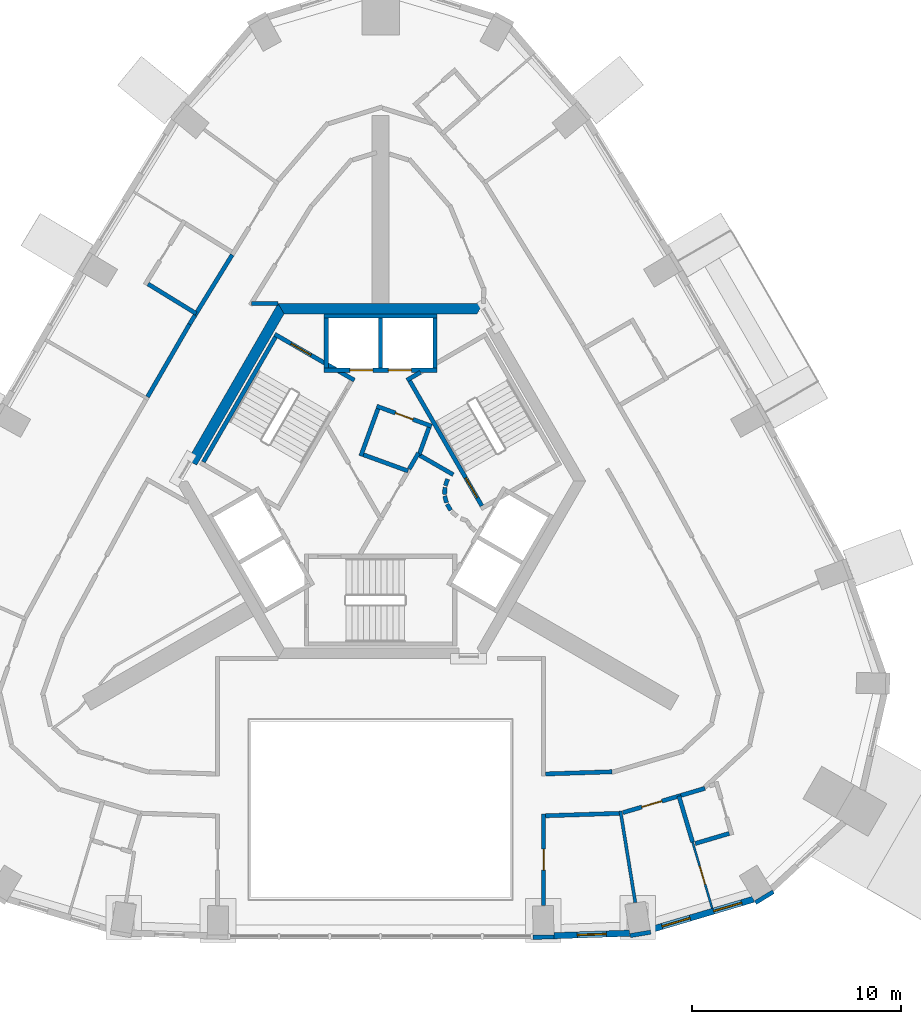
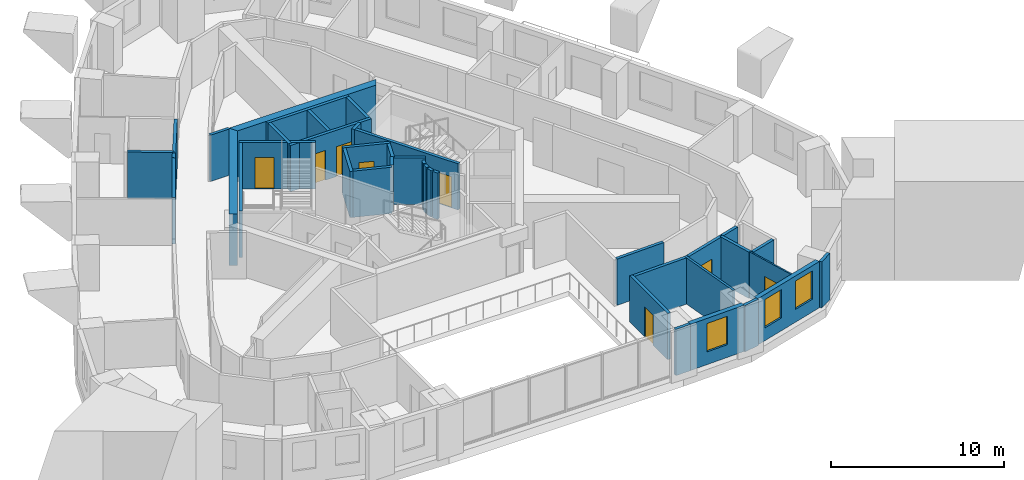
# One storey, part 5 of 11: 40 walls, 8 doors, 3 windows, 11 openings.
"""IFC4 building model written with IfcOpenShell, lengths in metres."""

from ifc_helpers import new_model, si_unit, direction, frame, frame_2d, origin, place, context, subcontext, project, spatial, polyline, rectangle, outline, extrude, material, layer, layer_set, type_object, element, fill, save


model = new_model("IFC4")

# Units and contexts
model_context = context("Model", 3, precision=1e-05, world=origin(), true_north=direction((0.0, 1.0)))
body_context = subcontext(model_context, "Body", "Model", "MODEL_VIEW")
ifc_project = project(units=[si_unit("LENGTHUNIT", "METRE"), si_unit("AREAUNIT", "SQUARE_METRE"), si_unit("VOLUMEUNIT", "CUBIC_METRE"), si_unit("PLANEANGLEUNIT", "RADIAN"), si_unit("MASSUNIT", "GRAM", prefix="KILO")], contexts=[model_context])

# Site, building, storey
site_placement = place(None, origin())
site = spatial("IfcSite", under=ifc_project, at=site_placement, CompositionType="ELEMENT")
building_placement = place(site_placement, origin())
building = spatial("IfcBuilding", under=site, at=building_placement, Name="Entoto Arch Interchange Tower", CompositionType="ELEMENT")
storey_placement = place(building_placement, frame((0.0, 0.0, 318.800048828125)))
storey = spatial("IfcBuildingStorey", under=building, at=storey_placement, Name="L75", CompositionType="ELEMENT", Elevation=318.800048828125)

# Walls
ifc_material_1 = material(Name="Concrete C40/50", Category="concrete")
ifc_layer_1 = layer(ifc_material_1, 0.5)
ifc_layer_set_1 = layer_set([ifc_layer_1], Name="Concrete C40/50")
wall_type_1 = type_object("IfcWallType", Name="Core wall 500 C40/50", PredefinedType="SHEAR", material=ifc_layer_set_1)
wall_1_placement = place(storey_placement, frame((0.0, 0.0, -0.340087890625)))
element("IfcWall", 1, at=wall_1_placement, inside=storey, type_object=wall_type_1, Name="Core wall N L75", PredefinedType="SHEAR", context=body_context, shape_type="SweptSolid", body=[
    extrude(outline(polyline([(4.906982421875, 11.0), (-4.906982421875, 11.0), (-4.618896484375, 10.5), (4.618896484375, 10.5), (4.906982421875, 11.0)])), origin(), (0.0, 0.0, 1.0), 3.60009765625),
])
wall_2_placement = place(storey_placement, frame((0.0, 0.0, -0.340087890625)))
element("IfcWall", 2, at=wall_2_placement, inside=storey, type_object=wall_type_1, Name="Core wall NW L75", PredefinedType="SHEAR", context=body_context, shape_type="SweptSolid", body=[
    extrude(outline(polyline([(-9.236083984375, 3.501953125), (-8.802978515625, 3.2529296875), (-4.618896484375, 10.5), (-4.906982421875, 11.0), (-9.236083984375, 3.501953125)])), origin(), (0.0, 0.0, 1.0), 3.60009765625),
])

# Wall, openings, doors
ifc_layer_2 = layer(ifc_material_1, 0.199951171875)
ifc_layer_set_2 = layer_set([ifc_layer_2], Name="Concrete C40/50")
wall_type_2 = type_object("IfcWallType", Name="LIFT SHAFT WALL 200", PredefinedType="STANDARD", material=ifc_layer_set_2)
wall_3_placement = place(storey_placement, frame((2.699951171875, 7.800048828125, 0.0), z_axis=(0.0, 0.0, 1.0), x_axis=(-1.0, 0.0, 0.0)))
wall_3 = element("IfcWall", 3, at=wall_3_placement, inside=storey, type_object=wall_type_2, Name="Shaft wall N1 front", PredefinedType="STANDARD", context=body_context, shape_type="SweptSolid", body=[
    extrude(rectangle(XDim=5.39990234375, YDim=0.199951171875, at=frame_2d((2.699951171875, 0.0))), origin(), (0.0, 0.0, 1.0), 3.260009765625),
])
opening_1_placement = place(wall_3_placement, frame((1.22509765625, 0.0, 0.0)))
opening_1 = element("IfcOpeningElement", 4, at=opening_1_placement, cuts=wall_3, Name="Opening LD-HR1-L75", PredefinedType="OPENING", context=body_context, shape_type="SweptSolid", body=[
    extrude(rectangle(XDim=1.10009765625, YDim=2.10009765625, at=frame_2d((0.550048828125, 1.050048828125))), frame((0.0, 0.10986328125, 0.0), z_axis=(0.0, -1.0, 0.0), x_axis=(1.0, 0.0, 0.0)), (0.0, 0.0, 1.0), 0.219970703125),
])
opening_2_placement = place(wall_3_placement, frame((3.074951171875, 0.0, 0.0)))
opening_2 = element("IfcOpeningElement", 5, at=opening_2_placement, cuts=wall_3, Name="Opening LD-HR2-L75", PredefinedType="OPENING", context=body_context, shape_type="SweptSolid", body=[
    extrude(rectangle(XDim=1.10009765625, YDim=2.10009765625, at=frame_2d((0.550048828125, 1.050048828125))), frame((0.0, 0.10986328125, 0.0), z_axis=(0.0, -1.0, 0.0), x_axis=(1.0, 0.0, 0.0)), (0.0, 0.0, 1.0), 0.219970703125),
])
ifc_material_2 = material(Name="Stainless steel 1.4301 panels", Category="steel")
door_type_1 = type_object("IfcDoorType", Name="LIFT LANDING DOOR LD1 1100x2100", OperationType="SLIDING_TO_LEFT", PredefinedType="DOOR", material=ifc_material_2)
door_1_placement = place(opening_1_placement, origin())
door_1 = element("IfcDoor", 6, at=door_1_placement, inside=storey, type_object=door_type_1, Name="Lift landing door HR1 L75", OperationType="SLIDING_TO_LEFT", OverallHeight=2.10009765625, OverallWidth=1.10009765625, PredefinedType="DOOR", context=body_context, shape_type="SweptSolid", body=[
    extrude(rectangle(XDim=1.10009765625, YDim=2.10009765625, at=frame_2d((0.550048828125, 1.050048828125))), frame((0.0, 0.02490234375, 0.0), z_axis=(0.0, -1.0, 0.0), x_axis=(1.0, 0.0, 0.0)), (0.0, 0.0, 1.0), 0.050048828125),
])
fill(opening_1, door_1)
door_2_placement = place(opening_2_placement, origin())
door_2 = element("IfcDoor", 7, at=door_2_placement, inside=storey, type_object=door_type_1, Name="Lift landing door HR2 L75", OperationType="SLIDING_TO_LEFT", OverallHeight=2.10009765625, OverallWidth=1.10009765625, PredefinedType="DOOR", context=body_context, shape_type="SweptSolid", body=[
    extrude(rectangle(XDim=1.10009765625, YDim=2.10009765625, at=frame_2d((0.550048828125, 1.050048828125))), frame((0.0, 0.02490234375, 0.0), z_axis=(0.0, -1.0, 0.0), x_axis=(1.0, 0.0, 0.0)), (0.0, 0.0, 1.0), 0.050048828125),
])
fill(opening_2, door_2)

# Walls
wall_4_placement = place(storey_placement, frame((2.699951171875, 10.39990234375, 0.0), z_axis=(0.0, 0.0, 1.0), x_axis=(-1.0, 0.0, 0.0)))
element("IfcWall", 8, at=wall_4_placement, inside=storey, type_object=wall_type_2, Name="Shaft wall N1 back", PredefinedType="STANDARD", context=body_context, shape_type="SweptSolid", body=[
    extrude(rectangle(XDim=5.39990234375, YDim=0.199951171875, at=frame_2d((2.699951171875, 0.0))), origin(), (0.0, 0.0, 1.0), 3.260009765625),
])
for number, where, z_axis, x_axis, name in (
    (9, (2.60009765625, 7.89990234375, 0.0), (0.0, 0.0, 1.0), (0.0, 1.0, 0.0), "Shaft wall N1 cross 1"),
    (10, (0.0, 7.89990234375, 0.0), (0.0, 0.0, 1.0), (0.0, 1.0, 0.0), "Shaft wall N1 cross 2"),
    (11, (-2.60009765625, 7.89990234375, 0.0), (0.0, 0.0, 1.0), (0.0, 1.0, 0.0), "Shaft wall N1 cross 3"),
):
    element("IfcWall", number, at=place(storey_placement, frame(where, z_axis=z_axis, x_axis=x_axis)), inside=storey, type_object=wall_type_2, Name=name, PredefinedType="STANDARD", context=body_context, shape_type="SweptSolid", body=[
        extrude(rectangle(XDim=2.400146484375, YDim=0.199951171875, at=frame_2d((1.2001953125, 0.0))), origin(), (0.0, 0.0, 1.0), 3.260009765625),
    ])

# Wall, opening, door
ifc_material_3 = material(Name="Gypsum board partition on steel studs", Category="steel")
ifc_layer_3 = layer(ifc_material_3, 0.10009765625)
ifc_layer_set_3 = layer_set([ifc_layer_3], Name="Gypsum board partition on steel studs")
wall_type_3 = type_object("IfcWallType", Name="PARTITION 100", PredefinedType="PARTITIONING", material=ifc_layer_set_3)
wall_5_placement = place(storey_placement, frame((14.928955078125, -14.781005859375, 0.0), z_axis=(0.0, 0.0, 1.0), x_axis=(0.284224342284, -0.958757802186, 0.0)))
wall_5 = element("IfcWall", 12, at=wall_5_placement, inside=storey, type_object=wall_type_3, Name="wall:L75:p081", PredefinedType="PARTITIONING", context=body_context, shape_type="SweptSolid", body=[
    extrude(rectangle(XDim=3.300048828125, YDim=0.10009765625, at=frame_2d((1.64990234375, 0.0))), origin(), (0.0, 0.0, 1.0), 3.260009765625),
])
opening_3_placement = place(wall_5_placement, frame((1.199951171875, 0.0, 0.0)))
opening_3 = element("IfcOpeningElement", 13, at=opening_3_placement, cuts=wall_5, Name="Opening L75-D02", PredefinedType="OPENING", context=body_context, shape_type="SweptSolid", body=[
    extrude(rectangle(XDim=0.89990234375, YDim=2.10009765625, at=frame_2d((0.449951171875, 1.050048828125))), frame((0.0, 0.06005859375, 0.0), z_axis=(0.0, -1.0, 0.0), x_axis=(1.0, 0.0, 0.0)), (0.0, 0.0, 1.0), 0.1201171875),
])
ifc_material_4 = material(Name="Timber door leaf in Steel S235 frame", Category="steel")
door_type_2 = type_object("IfcDoorType", Name="DOOR DS-09 900x2100", OperationType="SINGLE_SWING_LEFT", PredefinedType="DOOR", material=ifc_material_4)
door_3_placement = place(opening_3_placement, origin())
door_3 = element("IfcDoor", 14, at=door_3_placement, inside=storey, type_object=door_type_2, Name="door:L75:02", OperationType="SINGLE_SWING_LEFT", OverallHeight=2.10009765625, OverallWidth=0.89990234375, PredefinedType="DOOR", context=body_context, shape_type="SweptSolid", body=[
    extrude(rectangle(XDim=0.89990234375, YDim=2.10009765625, at=frame_2d((0.449951171875, 1.050048828125))), frame((0.0, 0.02490234375, 0.0), z_axis=(0.0, -1.0, 0.0), x_axis=(1.0, 0.0, 0.0)), (0.0, 0.0, 1.0), 0.050048828125),
])
fill(opening_3, door_3)

# Walls
ifc_layer_4 = layer(ifc_material_3, 0.14990234375)
ifc_layer_set_4 = layer_set([ifc_layer_4], Name="Gypsum board partition on steel studs")
wall_type_4 = type_object("IfcWallType", Name="PARTITION 150", PredefinedType="PARTITIONING", material=ifc_layer_set_4)
wall_6_placement = place(storey_placement, frame((11.47900390625, -13.302001953125, 0.0), z_axis=(0.0, 0.0, 1.0), x_axis=(0.16010600403, -0.987099826499, 0.0)))
element("IfcWall", 15, at=wall_6_placement, inside=storey, type_object=wall_type_4, Name="wall:L75:p080", PredefinedType="PARTITIONING", context=body_context, shape_type="SweptSolid", body=[
    extrude(rectangle(XDim=4.42822265625, YDim=0.14990234375, at=frame_2d((2.214111328125, 0.0))), origin(), (0.0, 0.0, 1.0), 3.260009765625),
])
ifc_layer_5 = layer(ifc_material_3, 0.199951171875)
ifc_layer_set_5 = layer_set([ifc_layer_5], Name="Gypsum board partition on steel studs")
wall_type_5 = type_object("IfcWallType", Name="PARTITION 200", PredefinedType="PARTITIONING", material=ifc_layer_set_5)
wall_7_placement = place(storey_placement, frame((1.365966796875, 3.06591796875, 0.0), z_axis=(0.0, 0.0, 1.0), x_axis=(0.499698775601, 0.866199245938, 0.0)))
element("IfcWall", 16, at=wall_7_placement, inside=storey, type_object=wall_type_5, Name="wall:L75:p001", PredefinedType="PARTITIONING", context=body_context, shape_type="SweptSolid", body=[
    extrude(rectangle(XDim=0.892578125, YDim=0.199951171875, at=frame_2d((0.4462890625, 0.0))), origin(), (0.0, 0.0, 1.0), 3.260009765625),
])
wall_8_placement = place(storey_placement, frame((1.837890625, 3.748046875, 0.0), z_axis=(0.0, 0.0, 1.0), x_axis=(0.341883255813, 0.939742432475, 0.0)))
element("IfcWall", 17, at=wall_8_placement, inside=storey, type_object=wall_type_5, Name="wall:L75:p002", PredefinedType="PARTITIONING", context=body_context, shape_type="SweptSolid", body=[
    extrude(rectangle(XDim=1.398193359375, YDim=0.199951171875, at=frame_2d((0.69921875, 0.0))), origin(), (0.0, 0.0, 1.0), 3.260009765625),
])

# Wall, opening, door
wall_9_placement = place(storey_placement, frame((2.444091796875, 5.1220703125, 0.0), z_axis=(0.0, 0.0, 1.0), x_axis=(-0.939650782256, 0.342135071873, 0.0)))
wall_9 = element("IfcWall", 18, at=wall_9_placement, inside=storey, type_object=wall_type_5, Name="wall:L75:p003", PredefinedType="PARTITIONING", context=body_context, shape_type="SweptSolid", body=[
    extrude(rectangle(XDim=2.800048828125, YDim=0.199951171875, at=frame_2d((1.39990234375, 0.0))), origin(), (0.0, 0.0, 1.0), 3.260009765625),
])
opening_4_placement = place(wall_9_placement, frame((0.949951171875, 0.0, 0.0)))
opening_4 = element("IfcOpeningElement", 19, at=opening_4_placement, cuts=wall_9, Name="Opening L75-D26", PredefinedType="OPENING", context=body_context, shape_type="SweptSolid", body=[
    extrude(rectangle(XDim=0.89990234375, YDim=2.10009765625, at=frame_2d((0.449951171875, 1.050048828125))), frame((0.0, 0.10986328125, 0.0), z_axis=(0.0, -1.0, 0.0), x_axis=(1.0, 0.0, 0.0)), (0.0, 0.0, 1.0), 0.219970703125),
])
door_4_placement = place(opening_4_placement, origin())
door_4 = element("IfcDoor", 20, at=door_4_placement, inside=storey, type_object=door_type_2, Name="door:L75:26", OperationType="SINGLE_SWING_LEFT", OverallHeight=2.10009765625, OverallWidth=0.89990234375, PredefinedType="DOOR", context=body_context, shape_type="SweptSolid", body=[
    extrude(rectangle(XDim=0.89990234375, YDim=2.10009765625, at=frame_2d((0.449951171875, 1.050048828125))), frame((0.0, 0.02490234375, 0.0), z_axis=(0.0, -1.0, 0.0), x_axis=(1.0, 0.0, 0.0)), (0.0, 0.0, 1.0), 0.050048828125),
])
fill(opening_4, door_4)

# Walls
wall_10_placement = place(storey_placement, frame((-0.126953125, 5.951904296875, 0.0), z_axis=(0.0, 0.0, 1.0), x_axis=(-0.342012513308, -0.93969539785, 0.0)))
element("IfcWall", 21, at=wall_10_placement, inside=storey, type_object=wall_type_5, Name="wall:L75:p004", PredefinedType="PARTITIONING", context=body_context, shape_type="SweptSolid", body=[
    extrude(rectangle(XDim=2.400634765625, YDim=0.199951171875, at=frame_2d((1.2001953125, 0.0))), origin(), (0.0, 0.0, 1.0), 3.260009765625),
])
wall_11_placement = place(storey_placement, frame((-0.820068359375, 3.756103515625, 0.0), z_axis=(0.0, 0.0, 1.0), x_axis=(0.939740098492, -0.34188967122, 0.0)))
element("IfcWall", 22, at=wall_11_placement, inside=storey, type_object=wall_type_5, Name="wall:L75:p005", PredefinedType="PARTITIONING", context=body_context, shape_type="SweptSolid", body=[
    extrude(rectangle(XDim=2.27294921875, YDim=0.199951171875, at=frame_2d((1.136474609375, 0.0))), origin(), (0.0, 0.0, 1.0), 3.260009765625),
])
wall_12_placement = place(storey_placement, frame((-6.18310546875, 10.9990234375, 0.0), z_axis=(0.0, 0.0, 1.0), x_axis=(1.0, 0.0, 0.0)))
element("IfcWall", 23, at=wall_12_placement, inside=storey, type_object=wall_type_5, Name="wall:L75:p013", PredefinedType="PARTITIONING", context=body_context, shape_type="SweptSolid", body=[
    extrude(rectangle(XDim=1.275146484375, YDim=0.199951171875, at=frame_2d((0.6376953125, 0.0))), origin(), (0.0, 0.0, 1.0), 3.260009765625),
])
wall_13_placement = place(storey_placement, frame((7.89990234375, -11.52001953125, 0.0), z_axis=(0.0, 0.0, 1.0), x_axis=(0.999442599499, 0.033383982774, 0.0)))
element("IfcWall", 24, at=wall_13_placement, inside=storey, type_object=wall_type_5, Name="wall:L75:p014", PredefinedType="PARTITIONING", context=body_context, shape_type="SweptSolid", body=[
    extrude(rectangle(XDim=3.173828125, YDim=0.199951171875, at=frame_2d((1.5869140625, 0.0))), origin(), (0.0, 0.0, 1.0), 3.260009765625),
])
wall_14_placement = place(storey_placement, frame((11.52001953125, -13.39990234375, 0.0), z_axis=(0.0, 0.0, 1.0), x_axis=(-0.999441010134, -0.033431530957, 0.0)))
element("IfcWall", 25, at=wall_14_placement, inside=storey, type_object=wall_type_5, Name="wall:L75:p029", PredefinedType="PARTITIONING", context=body_context, shape_type="SweptSolid", body=[
    extrude(rectangle(XDim=3.6220703125, YDim=0.199951171875, at=frame_2d((1.81103515625, 0.0))), origin(), (0.0, 0.0, 1.0), 3.260009765625),
])

# Wall, opening, door
wall_15_placement = place(storey_placement, frame((14.37109375, -12.548095703125, 0.0), z_axis=(0.0, 0.0, 1.0), x_axis=(-0.958773475867, -0.284171465799, 0.0)))
wall_15 = element("IfcWall", 26, at=wall_15_placement, inside=storey, type_object=wall_type_5, Name="wall:L75:p030", PredefinedType="PARTITIONING", context=body_context, shape_type="SweptSolid", body=[
    extrude(rectangle(XDim=2.899658203125, YDim=0.199951171875, at=frame_2d((1.44970703125, 0.0))), origin(), (0.0, 0.0, 1.0), 3.260009765625),
])
opening_5_placement = place(wall_15_placement, frame((0.949951171875, 0.0, 0.0)))
opening_5 = element("IfcOpeningElement", 27, at=opening_5_placement, cuts=wall_15, Name="Opening L75-D01", PredefinedType="OPENING", context=body_context, shape_type="SweptSolid", body=[
    extrude(rectangle(XDim=1.0, YDim=2.10009765625, at=frame_2d((0.5, 1.050048828125))), frame((0.0, 0.10986328125, 0.0), z_axis=(0.0, -1.0, 0.0), x_axis=(1.0, 0.0, 0.0)), (0.0, 0.0, 1.0), 0.219970703125),
])
ifc_material_5 = material(Name="Fire-rated Steel S235 door and frame", Category="steel")
door_type_3 = type_object("IfcDoorType", Name="DOOR FD-10 1000x2100", OperationType="SINGLE_SWING_LEFT", PredefinedType="DOOR", material=ifc_material_5)
door_5_placement = place(opening_5_placement, origin())
door_5 = element("IfcDoor", 28, at=door_5_placement, inside=storey, type_object=door_type_3, Name="door:L75:01", OperationType="SINGLE_SWING_LEFT", OverallHeight=2.10009765625, OverallWidth=1.0, PredefinedType="DOOR", context=body_context, shape_type="SweptSolid", body=[
    extrude(rectangle(XDim=1.0, YDim=2.10009765625, at=frame_2d((0.5, 1.050048828125))), frame((0.0, 0.02490234375, 0.0), z_axis=(0.0, -1.0, 0.0), x_axis=(1.0, 0.0, 0.0)), (0.0, 0.0, 1.0), 0.050048828125),
])
fill(opening_5, door_5)

# Walls
wall_16_placement = place(storey_placement, frame((15.52099609375, -12.20703125, 0.0), z_axis=(0.0, 0.0, 1.0), x_axis=(-0.958717989575, -0.2843586054, 0.0)))
element("IfcWall", 29, at=wall_16_placement, inside=storey, type_object=wall_type_5, Name="wall:L75:p034", PredefinedType="PARTITIONING", context=body_context, shape_type="SweptSolid", body=[
    extrude(rectangle(XDim=1.199462890625, YDim=0.199951171875, at=frame_2d((0.599609375, 0.0))), origin(), (0.0, 0.0, 1.0), 3.260009765625),
])
wall_17_placement = place(storey_placement, frame((-11.153076171875, 6.52490234375, 0.0), z_axis=(0.0, 0.0, 1.0), x_axis=(0.500108414701, 0.865962801479, 0.0)))
element("IfcWall", 30, at=wall_17_placement, inside=storey, type_object=wall_type_5, Name="wall:L75:p046", PredefinedType="PARTITIONING", context=body_context, shape_type="SweptSolid", body=[
    extrude(rectangle(XDim=4.01513671875, YDim=0.199951171875, at=frame_2d((2.007568359375, 0.0))), origin(), (0.0, 0.0, 1.0), 3.260009765625),
])
wall_18_placement = place(storey_placement, frame((-9.14501953125, 10.001953125, 0.0), z_axis=(0.0, 0.0, 1.0), x_axis=(0.523797791684, 0.851842634192, 0.0)))
element("IfcWall", 31, at=wall_18_placement, inside=storey, type_object=wall_type_5, Name="wall:L75:p047", PredefinedType="PARTITIONING", context=body_context, shape_type="SweptSolid", body=[
    extrude(rectangle(XDim=0.500244140625, YDim=0.199951171875, at=frame_2d((0.25, 0.0))), origin(), (0.0, 0.0, 1.0), 3.260009765625),
])
wall_19_placement = place(storey_placement, frame((-8.883056640625, 10.427978515625, 0.0), z_axis=(0.0, 0.0, 1.0), x_axis=(0.524061371587, 0.851680502777, 0.0)))
element("IfcWall", 32, at=wall_19_placement, inside=storey, type_object=wall_type_5, Name="wall:L75:p048", PredefinedType="PARTITIONING", context=body_context, shape_type="SweptSolid", body=[
    extrude(rectangle(XDim=3.400390625, YDim=0.199951171875, at=frame_2d((1.7001953125, 0.0))), origin(), (0.0, 0.0, 1.0), 3.260009765625),
])
wall_20_placement = place(storey_placement, frame((1.7509765625, 3.798095703125, 0.0), z_axis=(0.0, 0.0, 1.0), x_axis=(0.866091650241, -0.499885240213, 0.0)))
element("IfcWall", 33, at=wall_20_placement, inside=storey, type_object=wall_type_5, Name="wall:L75:p059", PredefinedType="PARTITIONING", context=body_context, shape_type="SweptSolid", body=[
    extrude(rectangle(XDim=1.99072265625, YDim=0.199951171875, at=frame_2d((0.995361328125, 0.0))), origin(), (0.0, 0.0, 1.0), 3.260009765625),
])
wall_21_placement = place(storey_placement, frame((3.2080078125, 2.592041015625, 0.0), z_axis=(0.0, 0.0, 1.0), x_axis=(-0.337388820924, -0.941365382578, 0.0)))
element("IfcWall", 34, at=wall_21_placement, inside=storey, type_object=wall_type_5, Name="wall:L75:p060", PredefinedType="PARTITIONING", context=body_context, shape_type="SweptSolid", body=[
    extrude(rectangle(XDim=0.337890625, YDim=0.199951171875, at=frame_2d((0.1689453125, 0.0))), origin(), (0.0, 0.0, 1.0), 3.260009765625),
])
wall_22_placement = place(storey_placement, frame((3.0791015625, 2.198974609375, 0.0), z_axis=(0.0, 0.0, 1.0), x_axis=(-0.047771483479, -0.998858290933, 0.0)))
element("IfcWall", 35, at=wall_22_placement, inside=storey, type_object=wall_type_5, Name="wall:L75:p061", PredefinedType="PARTITIONING", context=body_context, shape_type="SweptSolid", body=[
    extrude(rectangle(XDim=0.33740234375, YDim=0.199951171875, at=frame_2d((0.168701171875, 0.0))), origin(), (0.0, 0.0, 1.0), 3.260009765625),
])
wall_23_placement = place(storey_placement, frame((3.070068359375, 1.785888671875, 0.0), z_axis=(0.0, 0.0, 1.0), x_axis=(0.242705583207, -0.970099994784, 0.0)))
element("IfcWall", 36, at=wall_23_placement, inside=storey, type_object=wall_type_5, Name="wall:L75:p062", PredefinedType="PARTITIONING", context=body_context, shape_type="SweptSolid", body=[
    extrude(rectangle(XDim=0.337890625, YDim=0.199951171875, at=frame_2d((0.1689453125, 0.0))), origin(), (0.0, 0.0, 1.0), 3.260009765625),
])
wall_24_placement = place(storey_placement, frame((3.181884765625, 1.387939453125, 0.0), z_axis=(0.0, 0.0, 1.0), x_axis=(0.512474702713, -0.85870232274, 0.0)))
element("IfcWall", 37, at=wall_24_placement, inside=storey, type_object=wall_type_5, Name="wall:L75:p063", PredefinedType="PARTITIONING", context=body_context, shape_type="SweptSolid", body=[
    extrude(rectangle(XDim=0.337646484375, YDim=0.199951171875, at=frame_2d((0.1689453125, 0.0))), origin(), (0.0, 0.0, 1.0), 3.260009765625),
])

# Wall, opening, door
wall_25_placement = place(storey_placement, frame((7.800048828125, -13.425048828125, 0.0), z_axis=(0.0, 0.0, 1.0), x_axis=(0.0, -1.0, 0.0)))
wall_25 = element("IfcWall", 38, at=wall_25_placement, inside=storey, type_object=wall_type_5, Name="wall:L75:p073", PredefinedType="PARTITIONING", context=body_context, shape_type="SweptSolid", body=[
    extrude(rectangle(XDim=4.383056640625, YDim=0.199951171875, at=frame_2d((2.19140625, 0.0))), origin(), (0.0, 0.0, 1.0), 3.260009765625),
])
opening_6_placement = place(wall_25_placement, frame((1.69091796875, 0.0, 0.0)))
opening_6 = element("IfcOpeningElement", 39, at=opening_6_placement, cuts=wall_25, Name="Opening L75-D16", PredefinedType="OPENING", context=body_context, shape_type="SweptSolid", body=[
    extrude(rectangle(XDim=1.0, YDim=2.10009765625, at=frame_2d((0.5, 1.050048828125))), frame((0.0, 0.10986328125, 0.0), z_axis=(0.0, -1.0, 0.0), x_axis=(1.0, 0.0, 0.0)), (0.0, 0.0, 1.0), 0.219970703125),
])
door_type_4 = type_object("IfcDoorType", Name="DOOR DS-10 1000x2100", OperationType="SINGLE_SWING_LEFT", PredefinedType="DOOR", material=ifc_material_4)
door_6_placement = place(opening_6_placement, origin())
door_6 = element("IfcDoor", 40, at=door_6_placement, inside=storey, type_object=door_type_4, Name="door:L75:16", OperationType="SINGLE_SWING_LEFT", OverallHeight=2.10009765625, OverallWidth=1.0, PredefinedType="DOOR", context=body_context, shape_type="SweptSolid", body=[
    extrude(rectangle(XDim=1.0, YDim=2.10009765625, at=frame_2d((0.5, 1.050048828125))), frame((0.0, 0.02490234375, 0.0), z_axis=(0.0, -1.0, 0.0), x_axis=(1.0, 0.0, 0.0)), (0.0, 0.0, 1.0), 0.050048828125),
])
fill(opening_6, door_6)

# Walls
wall_26_placement = place(storey_placement, frame((14.27490234375, -12.575927734375, 0.0), z_axis=(0.0, 0.0, 1.0), x_axis=(0.284366601045, -0.958715618007, 0.0)))
element("IfcWall", 41, at=wall_26_placement, inside=storey, type_object=wall_type_5, Name="wall:L75:p082", PredefinedType="PARTITIONING", context=body_context, shape_type="SweptSolid", body=[
    extrude(rectangle(XDim=2.300048828125, YDim=0.199951171875, at=frame_2d((1.14990234375, 0.0))), origin(), (0.0, 0.0, 1.0), 3.260009765625),
])
wall_27_placement = place(storey_placement, frame((15.053955078125, -14.84912109375, 0.0), z_axis=(0.0, 0.0, 1.0), x_axis=(0.958727061754, 0.284328016666, 0.0)))
element("IfcWall", 42, at=wall_27_placement, inside=storey, type_object=wall_type_5, Name="wall:L75:p083", PredefinedType="PARTITIONING", context=body_context, shape_type="SweptSolid", body=[
    extrude(rectangle(XDim=1.69921875, YDim=0.199951171875, at=frame_2d((0.849609375, 0.0))), origin(), (0.0, 0.0, 1.0), 3.260009765625),
])
wall_28_placement = place(storey_placement, frame((-11.1298828125, 11.927978515625, 0.0), z_axis=(0.0, 0.0, 1.0), x_axis=(0.851856970107, -0.523774476737, 0.0)))
element("IfcWall", 43, at=wall_28_placement, inside=storey, type_object=wall_type_5, Name="wall:L75:p101", PredefinedType="PARTITIONING", context=body_context, shape_type="SweptSolid", body=[
    extrude(rectangle(XDim=2.69970703125, YDim=0.199951171875, at=frame_2d((1.349853515625, 0.0))), origin(), (0.0, 0.0, 1.0), 3.260009765625),
])
ifc_layer_6 = layer(ifc_material_1, 0.199951171875)
ifc_layer_set_6 = layer_set([ifc_layer_6], Name="Concrete C40/50")
wall_type_6 = type_object("IfcWallType", Name="STAIR ENCLOSURE WALL 200", PredefinedType="STANDARD", material=ifc_layer_set_6)
wall_29_placement = place(storey_placement, frame((1.256103515625, 7.323974609375, 0.0), z_axis=(0.0, 0.0, 1.0), x_axis=(0.865915093549, 0.500191014278, 0.0)))
element("IfcWall", 44, at=wall_29_placement, inside=storey, type_object=wall_type_6, Name="Stair wall ST-NE far return", PredefinedType="STANDARD", context=body_context, shape_type="SweptSolid", body=[
    extrude(rectangle(XDim=0.751708984375, YDim=0.199951171875, at=frame_2d((0.3759765625, 0.0))), origin(), (0.0, 0.0, 1.0), 3.260009765625),
])

# Wall, opening, door
wall_30_placement = place(storey_placement, frame((4.843017578125, 1.31201171875, 0.0), z_axis=(0.0, 0.0, 1.0), x_axis=(-0.499963383562, 0.866046543262, 0.0)))
wall_30 = element("IfcWall", 45, at=wall_30_placement, inside=storey, type_object=wall_type_6, Name="Stair wall ST-NE hall", PredefinedType="STANDARD", context=body_context, shape_type="SweptSolid", body=[
    extrude(rectangle(XDim=6.900390625, YDim=0.199951171875, at=frame_2d((3.4501953125, 0.0))), origin(), (0.0, 0.0, 1.0), 3.260009765625),
])
opening_7_placement = place(wall_30_placement, frame((0.449951171875, 0.0, 0.0)))
opening_7 = element("IfcOpeningElement", 46, at=opening_7_placement, cuts=wall_30, Name="Opening SD-ST-NE-L75", PredefinedType="OPENING", context=body_context, shape_type="SweptSolid", body=[
    extrude(rectangle(XDim=1.10009765625, YDim=2.199951171875, at=frame_2d((0.550048828125, 1.10009765625))), frame((0.0, 0.10986328125, 0.0), z_axis=(0.0, -1.0, 0.0), x_axis=(1.0, 0.0, 0.0)), (0.0, 0.0, 1.0), 0.219970703125),
])
ifc_material_6 = material(Name="Steel S235", Category="steel")
door_type_5 = type_object("IfcDoorType", Name="STAIR DOOR SD1 1100x2200", OperationType="SINGLE_SWING_LEFT", PredefinedType="DOOR", material=ifc_material_6)
door_7_placement = place(opening_7_placement, origin())
door_7 = element("IfcDoor", 47, at=door_7_placement, inside=storey, type_object=door_type_5, Name="Stair door ST-NE L75", OperationType="SINGLE_SWING_LEFT", OverallHeight=2.199951171875, OverallWidth=1.10009765625, PredefinedType="DOOR", context=body_context, shape_type="SweptSolid", body=[
    extrude(rectangle(XDim=1.10009765625, YDim=2.199951171875, at=frame_2d((0.550048828125, 1.10009765625))), frame((0.0, 0.02490234375, 0.0), z_axis=(0.0, -1.0, 0.0), x_axis=(1.0, 0.0, 0.0)), (0.0, 0.0, 1.0), 0.050048828125),
])
fill(opening_7, door_7)

wall_31_placement = place(storey_placement, frame((-1.256103515625, 7.323974609375, 0.0), z_axis=(0.0, 0.0, 1.0), x_axis=(-0.866046073146, 0.499964197906, 0.0)))
wall_31 = element("IfcWall", 48, at=wall_31_placement, inside=storey, type_object=wall_type_6, Name="Stair wall ST-NW near", PredefinedType="STANDARD", context=body_context, shape_type="SweptSolid", body=[
    extrude(rectangle(XDim=4.400146484375, YDim=0.199951171875, at=frame_2d((2.2001953125, 0.0))), origin(), (0.0, 0.0, 1.0), 3.260009765625),
])
opening_8_placement = place(wall_31_placement, frame((2.39990234375, 0.0, 0.0)))
opening_8 = element("IfcOpeningElement", 49, at=opening_8_placement, cuts=wall_31, Name="Opening SD-ST-NW-L75-E", PredefinedType="OPENING", context=body_context, shape_type="SweptSolid", body=[
    extrude(rectangle(XDim=1.10009765625, YDim=2.199951171875, at=frame_2d((0.550048828125, 1.10009765625))), frame((0.0, 0.10986328125, 0.0), z_axis=(0.0, -1.0, 0.0), x_axis=(1.0, 0.0, 0.0)), (0.0, 0.0, 1.0), 0.219970703125),
])
door_8_placement = place(opening_8_placement, origin())
door_8 = element("IfcDoor", 50, at=door_8_placement, inside=storey, type_object=door_type_5, Name="Stair door ST-NW L75 end", OperationType="SINGLE_SWING_LEFT", OverallHeight=2.199951171875, OverallWidth=1.10009765625, PredefinedType="DOOR", context=body_context, shape_type="SweptSolid", body=[
    extrude(rectangle(XDim=1.10009765625, YDim=2.199951171875, at=frame_2d((0.550048828125, 1.10009765625))), frame((0.0, 0.02490234375, 0.0), z_axis=(0.0, -1.0, 0.0), x_axis=(1.0, 0.0, 0.0)), (0.0, 0.0, 1.0), 0.050048828125),
])
fill(opening_8, door_8)

# Wall
wall_32_placement = place(storey_placement, frame((-5.030029296875, 9.387939453125, 0.0), z_axis=(0.0, 0.0, 1.0), x_axis=(-0.499978703459, -0.866037698999, 0.0)))
element("IfcWall", 51, at=wall_32_placement, inside=storey, type_object=wall_type_6, Name="Stair wall ST-NW back", PredefinedType="STANDARD", context=body_context, shape_type="SweptSolid", body=[
    extrude(rectangle(XDim=6.900146484375, YDim=0.199951171875, at=frame_2d((3.4501953125, 0.0))), origin(), (0.0, 0.0, 1.0), 3.260009765625),
])

# Wall, opening, window
ifc_material_7 = material(Name="Welded tuff (ignimbrite) cladding, warm buff", Category="masonry")
ifc_layer_7 = layer(ifc_material_7, 0.300048828125)
ifc_layer_set_7 = layer_set([ifc_layer_7], Name="Welded tuff (ignimbrite) cladding, warm buff")
wall_type_7 = type_object("IfcWallType", Name="STONE INFILL WALL 300", PredefinedType="STANDARD", material=ifc_layer_set_7)
wall_33_placement = place(storey_placement, frame((8.2958984375, -19.260986328125, 0.0), z_axis=(0.0, 0.0, 1.0), x_axis=(0.999441913039, 0.033404527552, 0.0)))
wall_33 = element("IfcWall", 52, at=wall_33_placement, inside=storey, type_object=wall_type_7, Name="Facade wall S-03 L75", PredefinedType="STANDARD", context=body_context, shape_type="SweptSolid", body=[
    extrude(rectangle(XDim=3.625, YDim=0.300048828125, at=frame_2d((1.8125, 0.0))), origin(), (0.0, 0.0, 1.0), 3.260009765625),
])
opening_9_placement = place(wall_33_placement, frame((1.113037109375, 0.0, 0.89990234375)))
opening_9 = element("IfcOpeningElement", 53, at=opening_9_placement, cuts=wall_33, Name="Opening WH-B", PredefinedType="OPENING", context=body_context, shape_type="SweptSolid", body=[
    extrude(rectangle(XDim=1.39990234375, YDim=2.0, at=frame_2d((0.699951171875, 1.0))), frame((0.0, 0.16015625, 0.0), z_axis=(0.0, -1.0, 0.0), x_axis=(1.0, 0.0, 0.0)), (0.0, 0.0, 1.0), 0.320068359375),
])
ifc_material_8 = material(Name="Clear glass, low-e double glazed", Category="glass")
window_type = type_object("IfcWindowType", Name="WINDOW WH-B 1400x2000", PartitioningType="DOUBLE_PANEL_VERTICAL", PredefinedType="WINDOW", material=ifc_material_8)
window_1_placement = place(opening_9_placement, origin())
window_1 = element("IfcWindow", 54, at=window_1_placement, inside=storey, type_object=window_type, Name="Window WH-B S-03 L75", OverallHeight=2.0, OverallWidth=1.39990234375, PartitioningType="SINGLE_PANEL", PredefinedType="WINDOW", context=body_context, shape_type="SweptSolid", body=[
    extrude(rectangle(XDim=1.39990234375, YDim=2.0, at=frame_2d((0.699951171875, 1.0))), frame((0.0, 0.030029296875, 0.0), z_axis=(0.0, -1.0, 0.0), x_axis=(1.0, 0.0, 0.0)), (0.0, 0.0, 1.0), 0.06005859375),
])
fill(opening_9, window_1)

# Wall, openings, windows
wall_34_placement = place(storey_placement, frame((12.904052734375, -18.97998046875, 0.0), z_axis=(0.0, 0.0, 1.0), x_axis=(0.958757933751, 0.284223898486, 0.0)))
wall_34 = element("IfcWall", 55, at=wall_34_placement, inside=storey, type_object=wall_type_7, Name="Facade wall SE-01 L75", PredefinedType="STANDARD", context=body_context, shape_type="SweptSolid", body=[
    extrude(rectangle(XDim=5.150390625, YDim=0.300048828125, at=frame_2d((2.5751953125, 0.0))), origin(), (0.0, 0.0, 1.0), 3.260009765625),
])
opening_10_placement = place(wall_34_placement, frame((0.587890625, 0.0, 0.89990234375)))
opening_10 = element("IfcOpeningElement", 56, at=opening_10_placement, cuts=wall_34, Name="Opening WH-B", PredefinedType="OPENING", context=body_context, shape_type="SweptSolid", body=[
    extrude(rectangle(XDim=1.39990234375, YDim=2.0, at=frame_2d((0.699951171875, 1.0))), frame((0.0, 0.16015625, 0.0), z_axis=(0.0, -1.0, 0.0), x_axis=(1.0, 0.0, 0.0)), (0.0, 0.0, 1.0), 0.320068359375),
])
opening_11_placement = place(wall_34_placement, frame((3.1630859375, 0.0, 0.89990234375)))
opening_11 = element("IfcOpeningElement", 57, at=opening_11_placement, cuts=wall_34, Name="Opening WH-B", PredefinedType="OPENING", context=body_context, shape_type="SweptSolid", body=[
    extrude(rectangle(XDim=1.39990234375, YDim=2.0, at=frame_2d((0.699951171875, 1.0))), frame((0.0, 0.16015625, 0.0), z_axis=(0.0, -1.0, 0.0), x_axis=(1.0, 0.0, 0.0)), (0.0, 0.0, 1.0), 0.320068359375),
])
window_2_placement = place(opening_10_placement, origin())
window_2 = element("IfcWindow", 58, at=window_2_placement, inside=storey, type_object=window_type, Name="Window WH-B SE-01 L75", OverallHeight=2.0, OverallWidth=1.39990234375, PartitioningType="SINGLE_PANEL", PredefinedType="WINDOW", context=body_context, shape_type="SweptSolid", body=[
    extrude(rectangle(XDim=1.39990234375, YDim=2.0, at=frame_2d((0.699951171875, 1.0))), frame((0.0, 0.030029296875, 0.0), z_axis=(0.0, -1.0, 0.0), x_axis=(1.0, 0.0, 0.0)), (0.0, 0.0, 1.0), 0.06005859375),
])
fill(opening_10, window_2)
window_3_placement = place(opening_11_placement, origin())
window_3 = element("IfcWindow", 59, at=window_3_placement, inside=storey, type_object=window_type, Name="Window WH-B SE-01 L75", OverallHeight=2.0, OverallWidth=1.39990234375, PartitioningType="SINGLE_PANEL", PredefinedType="WINDOW", context=body_context, shape_type="SweptSolid", body=[
    extrude(rectangle(XDim=1.39990234375, YDim=2.0, at=frame_2d((0.699951171875, 1.0))), frame((0.0, 0.030029296875, 0.0), z_axis=(0.0, -1.0, 0.0), x_axis=(1.0, 0.0, 0.0)), (0.0, 0.0, 1.0), 0.06005859375),
])
fill(opening_11, window_3)

# Walls
ifc_layer_8 = layer(ifc_material_7, 0.199951171875)
ifc_layer_set_8 = layer_set([ifc_layer_8], Name="Welded tuff (ignimbrite) cladding, warm buff")
wall_type_8 = type_object("IfcWallType", Name="STONE PIER CLADDING 200", PredefinedType="STANDARD", material=ifc_layer_set_8)
for number, where, z_axis, x_axis, name in (
    (60, (7.298095703125, -19.337890625, 0.0), (0.0, 0.0, 1.0), (0.999804524294, 0.019771525017, 0.0), "Stone pier S03 L75"),
    (61, (11.93798828125, -19.257080078125, 0.0), (0.0, 0.0, 1.0), (0.985800545746, 0.167920469293, 0.0), "Stone pier S04 L75"),
):
    element("IfcWall", number, at=place(storey_placement, frame(where, z_axis=z_axis, x_axis=x_axis)), inside=storey, type_object=wall_type_8, Name=name, PredefinedType="STANDARD", context=body_context, shape_type="SweptSolid", body=[
        extrude(rectangle(XDim=1.000244140625, YDim=0.199951171875, at=frame_2d((0.5, 0.0))), origin(), (0.0, 0.0, 1.0), 3.260009765625),
    ])
wall_35_placement = place(storey_placement, frame((17.93896484375, -17.677001953125, 0.0), z_axis=(0.0, 0.0, 1.0), x_axis=(0.853679739553, 0.520798331677, 0.0)))
element("IfcWall", 62, at=wall_35_placement, inside=storey, type_object=wall_type_8, Name="Stone pier SE1 L75", PredefinedType="STANDARD", context=body_context, shape_type="SweptSolid", body=[
    extrude(rectangle(XDim=1.00048828125, YDim=0.199951171875, at=frame_2d((0.500244140625, 0.0))), origin(), (0.0, 0.0, 1.0), 3.260009765625),
])

save(model, "model.ifc")
